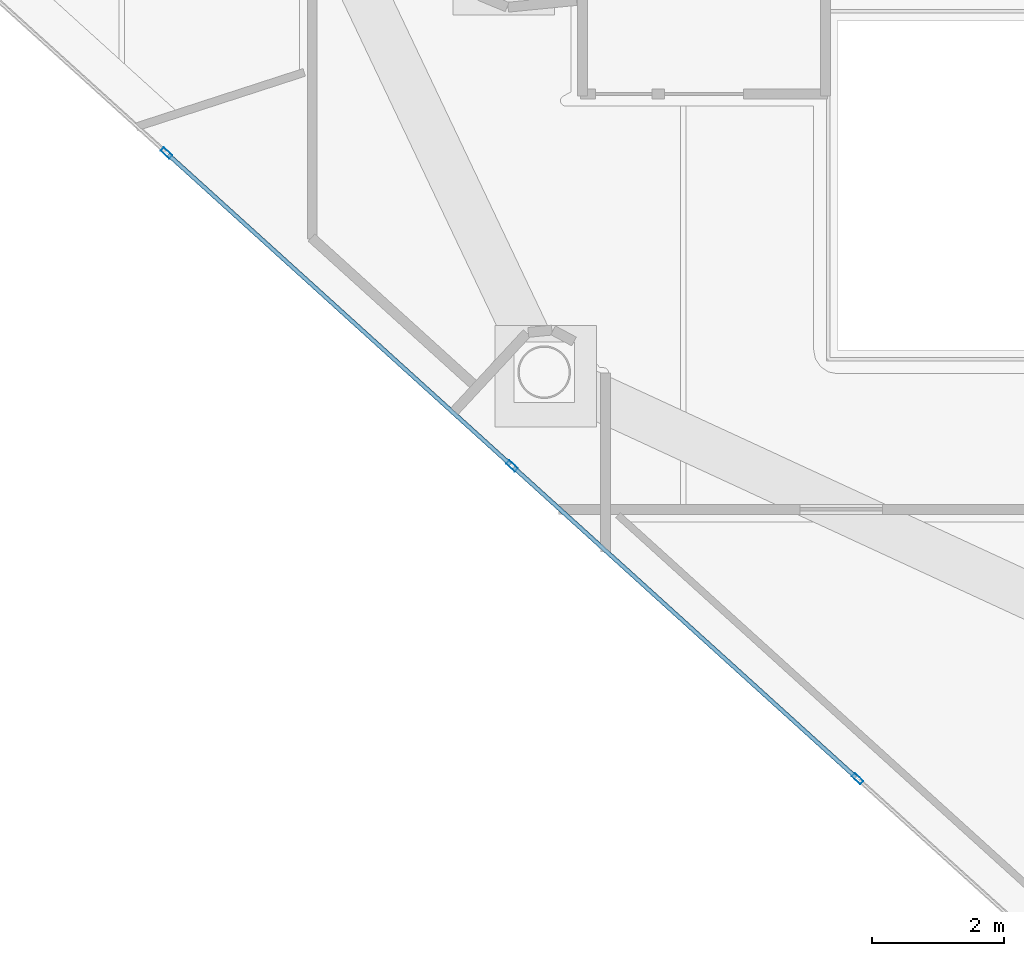
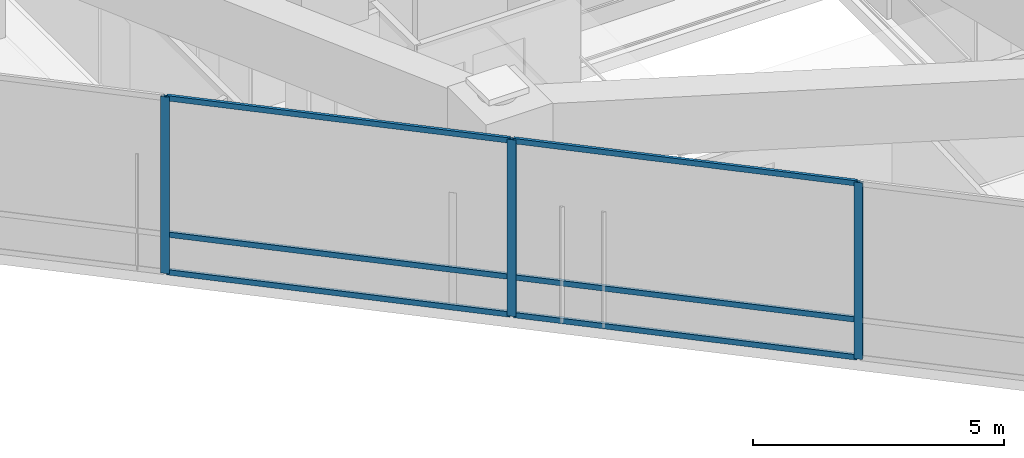
# One storey, part 2 of 17: 9 members, 1 element without a shape of its own.
"""IFC4 building model written with IfcOpenShell, lengths in metres."""

from ifc_helpers import new_model, si_unit, direction, frame, origin, origin_2d, place, context, subcontext, project, spatial, hollow_rectangle, extrude, material, layer, layer_set, material_profile, profile_set, type_object, element, aggregate, save


model = new_model("IFC4")

# Units and contexts
model_context = context("Model", 3, precision=1e-05, world=origin(), true_north=direction((0.0, 1.0)))
body_context = subcontext(model_context, "Body", "Model", "MODEL_VIEW")
ifc_project = project(units=[si_unit("LENGTHUNIT", "METRE"), si_unit("AREAUNIT", "SQUARE_METRE"), si_unit("VOLUMEUNIT", "CUBIC_METRE"), si_unit("PLANEANGLEUNIT", "RADIAN"), si_unit("MASSUNIT", "GRAM", prefix="KILO")], contexts=[model_context])

# Site, building, storey
site_placement = place(None, origin())
site = spatial("IfcSite", under=ifc_project, at=site_placement, CompositionType="ELEMENT")
building_placement = place(site_placement, origin())
building = spatial("IfcBuilding", under=site, at=building_placement, Name="Qianvela Tower", CompositionType="ELEMENT")
storey_placement = place(building_placement, frame((0.0, 0.0, 351.800048828125)))
storey = spatial("IfcBuildingStorey", under=building, at=storey_placement, Name="L91", CompositionType="ELEMENT", Elevation=351.800048828125)

# Curtain wall, members
ifc_material_1 = material(Name="Anodised Architectural Aluminium and Low-E Glass", Category="aluminium")
ifc_layer = layer(ifc_material_1, 0.18994140625)
ifc_layer_set = layer_set([ifc_layer], Name="Anodised Architectural Aluminium and Low-E Glass")
curtain_wall_type = type_object("IfcCurtainWallType", Name="CW-SKYLOBBY", PredefinedType="USERDEFINED", material=ifc_layer_set)
curtain_wall_placement = place(storey_placement, origin())
curtain_wall = element("IfcCurtainWall", 1, at=curtain_wall_placement, inside=storey, type_object=curtain_wall_type, Name="L91 CW-SKYLOBBY Curtain Wall 04", ObjectType="CURTAIN_WALL_SYSTEM", PredefinedType="USERDEFINED")
ifc_material_2 = material(Name="Anodised Architectural Aluminium 6063-T6", Category="aluminium")
ifc_material_profile_1 = material_profile(ifc_material_2, hollow_rectangle(XDim=0.070068359375, YDim=0.179931640625, WallThickness=0.0048828125, at=origin_2d()), Name="ALU-MULL-70x180")
ifc_profile_set_1 = profile_set([ifc_material_profile_1], Name="Anodised Architectural Aluminium 6063-T6")
member_type_1 = type_object("IfcMemberType", Name="CW-SKYLOBBY-MULL", PredefinedType="MULLION", material=ifc_profile_set_1)
member_1_placement = place(storey_placement, frame((23.420654296875, 20.98583984375, 0.0), z_axis=(0.0, 0.0, 1.0), x_axis=(0.671203127523, 0.741273472885, 0.0)))
member_1 = element("IfcMember", 2, at=member_1_placement, type_object=member_type_1, Name="CW-7 mullion 2", PredefinedType="MULLION", context=body_context, shape_type="SweptSolid", body=[
    extrude(hollow_rectangle(XDim=0.070068359375, YDim=0.179931640625, WallThickness=0.0048828125, at=origin_2d()), origin(), (0.0, 0.0, 1.0), 4.300048828125),
])
member_2_placement = place(storey_placement, frame((28.662353515625, 16.23974609375, 0.0), z_axis=(0.0, 0.0, 1.0), x_axis=(0.671203127523, 0.741273472885, 0.0)))
member_2 = element("IfcMember", 3, at=member_2_placement, type_object=member_type_1, Name="CW-7 mullion 3", PredefinedType="MULLION", context=body_context, shape_type="SweptSolid", body=[
    extrude(hollow_rectangle(XDim=0.070068359375, YDim=0.179931640625, WallThickness=0.0048828125, at=origin_2d()), origin(), (0.0, 0.0, 1.0), 4.300048828125),
])
member_3_placement = place(storey_placement, frame((33.90380859375, 11.49365234375, 0.0), z_axis=(0.0, 0.0, 1.0), x_axis=(0.671203127523, 0.741273472885, 0.0)))
member_3 = element("IfcMember", 4, at=member_3_placement, type_object=member_type_1, Name="CW-7 mullion 4", PredefinedType="MULLION", context=body_context, shape_type="SweptSolid", body=[
    extrude(hollow_rectangle(XDim=0.070068359375, YDim=0.179931640625, WallThickness=0.0048828125, at=origin_2d()), origin(), (0.0, 0.0, 1.0), 4.300048828125),
])
ifc_material_3 = material(Name="Anodised Architectural Aluminium 6063-T6", Category="aluminium")
ifc_material_profile_2 = material_profile(ifc_material_3, hollow_rectangle(XDim=0.06494140625, YDim=0.1298828125, WallThickness=0.00439453125, at=origin_2d()), Name="ALU-TRAN-65x130")
ifc_profile_set_2 = profile_set([ifc_material_profile_2], Name="Anodised Architectural Aluminium 6063-T6")
member_type_2 = type_object("IfcMemberType", Name="CW-SKYLOBBY-TRAN", PredefinedType="USERDEFINED", material=ifc_profile_set_2)
member_4_placement = place(storey_placement, frame((23.446533203125, 20.96240234375, 0.032470703125), z_axis=(0.741267225228, -0.671210027341, 0.0), x_axis=(0.671210027341, 0.741267225228, 0.0)))
member_4 = element("IfcMember", 5, at=member_4_placement, type_object=member_type_2, Name="CW-7 transom 2.1", ObjectType="TRANSOM", PredefinedType="USERDEFINED", context=body_context, shape_type="SweptSolid", body=[
    extrude(hollow_rectangle(XDim=0.06494140625, YDim=0.1298828125, WallThickness=0.00439453125, at=origin_2d()), origin(), (0.0, 0.0, 1.0), 7.001220703125),
])
member_5_placement = place(storey_placement, frame((23.446533203125, 20.96240234375, 0.949951171875), z_axis=(0.741267225228, -0.671210027341, 0.0), x_axis=(0.671210027341, 0.741267225228, 0.0)))
member_5 = element("IfcMember", 6, at=member_5_placement, type_object=member_type_2, Name="CW-7 transom 2.2", ObjectType="TRANSOM", PredefinedType="USERDEFINED", context=body_context, shape_type="SweptSolid", body=[
    extrude(hollow_rectangle(XDim=0.06494140625, YDim=0.1298828125, WallThickness=0.00439453125, at=origin_2d()), origin(), (0.0, 0.0, 1.0), 7.001220703125),
])
member_6_placement = place(storey_placement, frame((23.446533203125, 20.96240234375, 4.267333984375), z_axis=(0.741267225228, -0.671210027341, 0.0), x_axis=(0.671210027341, 0.741267225228, 0.0)))
member_6 = element("IfcMember", 7, at=member_6_placement, type_object=member_type_2, Name="CW-7 transom 2.3", ObjectType="TRANSOM", PredefinedType="USERDEFINED", context=body_context, shape_type="SweptSolid", body=[
    extrude(hollow_rectangle(XDim=0.06494140625, YDim=0.1298828125, WallThickness=0.00439453125, at=origin_2d()), origin(), (0.0, 0.0, 1.0), 7.001220703125),
])
member_7_placement = place(storey_placement, frame((28.688232421875, 16.21630859375, 0.032470703125), z_axis=(0.741267225228, -0.671210027341, 0.0), x_axis=(0.671210027341, 0.741267225228, 0.0)))
member_7 = element("IfcMember", 8, at=member_7_placement, type_object=member_type_2, Name="CW-7 transom 3.1", ObjectType="TRANSOM", PredefinedType="USERDEFINED", context=body_context, shape_type="SweptSolid", body=[
    extrude(hollow_rectangle(XDim=0.06494140625, YDim=0.1298828125, WallThickness=0.00439453125, at=origin_2d()), origin(), (0.0, 0.0, 1.0), 7.001220703125),
])
member_8_placement = place(storey_placement, frame((28.688232421875, 16.21630859375, 0.949951171875), z_axis=(0.741267225228, -0.671210027341, 0.0), x_axis=(0.671210027341, 0.741267225228, 0.0)))
member_8 = element("IfcMember", 9, at=member_8_placement, type_object=member_type_2, Name="CW-7 transom 3.2", ObjectType="TRANSOM", PredefinedType="USERDEFINED", context=body_context, shape_type="SweptSolid", body=[
    extrude(hollow_rectangle(XDim=0.06494140625, YDim=0.1298828125, WallThickness=0.00439453125, at=origin_2d()), origin(), (0.0, 0.0, 1.0), 7.001220703125),
])
member_9_placement = place(storey_placement, frame((28.688232421875, 16.21630859375, 4.267333984375), z_axis=(0.741267225228, -0.671210027341, 0.0), x_axis=(0.671210027341, 0.741267225228, 0.0)))
member_9 = element("IfcMember", 10, at=member_9_placement, type_object=member_type_2, Name="CW-7 transom 3.3", ObjectType="TRANSOM", PredefinedType="USERDEFINED", context=body_context, shape_type="SweptSolid", body=[
    extrude(hollow_rectangle(XDim=0.06494140625, YDim=0.1298828125, WallThickness=0.00439453125, at=origin_2d()), origin(), (0.0, 0.0, 1.0), 7.001220703125),
])
aggregate(curtain_wall, [member_1, member_2, member_3, member_4, member_5, member_6, member_7, member_8, member_9])

save(model, "model.ifc")
